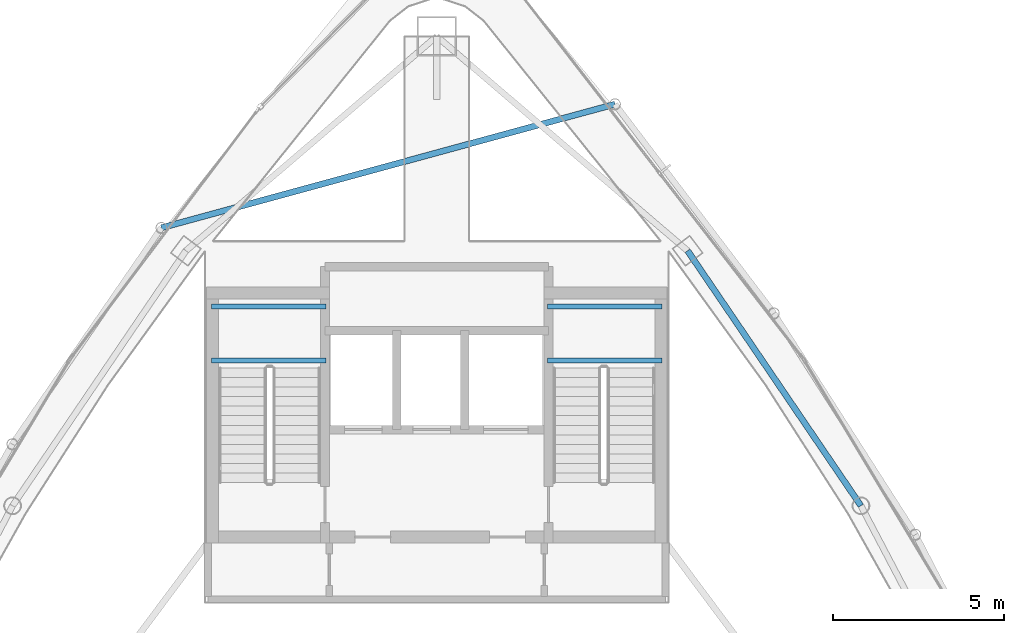
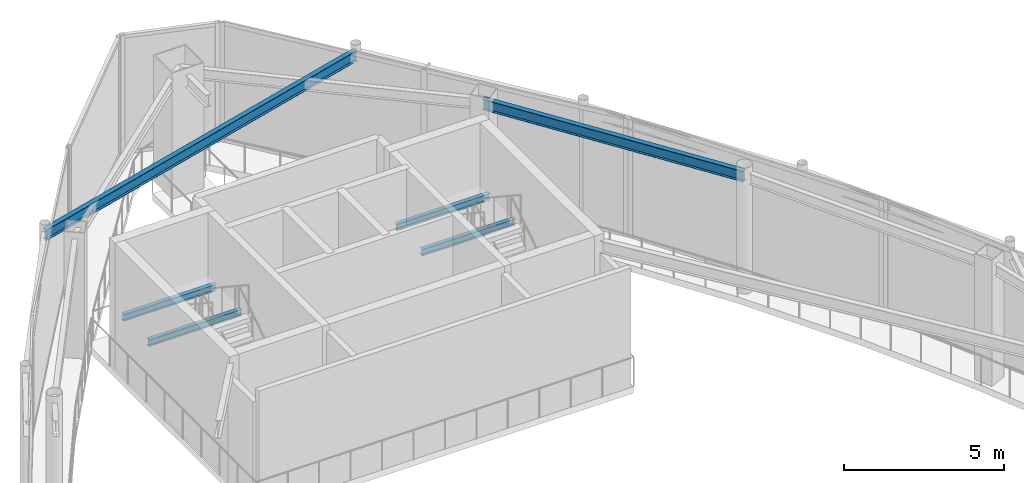
# One storey, part 9 of 19: 6 beams.
"""IFC4 building model written with IfcOpenShell, lengths in metres."""

from ifc_helpers import new_model, si_unit, direction, frame, origin, origin_2d, place, context, subcontext, project, spatial, i_section, extrude, material, material_profile, profile_set, type_object, element, save


model = new_model("IFC4")

# Units and contexts
model_context = context("Model", 3, precision=1e-05, world=origin(), true_north=direction((0.0, 1.0)))
body_context = subcontext(model_context, "Body", "Model", "MODEL_VIEW")
ifc_project = project(units=[si_unit("LENGTHUNIT", "METRE"), si_unit("AREAUNIT", "SQUARE_METRE"), si_unit("VOLUMEUNIT", "CUBIC_METRE"), si_unit("PLANEANGLEUNIT", "RADIAN"), si_unit("MASSUNIT", "GRAM", prefix="KILO")], contexts=[model_context])

# Site, building, storey
site_placement = place(None, origin())
site = spatial("IfcSite", under=ifc_project, at=site_placement, CompositionType="ELEMENT")
building_placement = place(site_placement, origin())
building = spatial("IfcBuilding", under=site, at=building_placement, Name="Orvanel Arch Residences", CompositionType="ELEMENT")
storey_placement = place(building_placement, frame((0.0, 0.0, 286.10009765625)))
storey = spatial("IfcBuildingStorey", under=building, at=storey_placement, Name="L81", CompositionType="ELEMENT", Elevation=286.10009765625)

# Beams
ifc_material = material(Name="Structural steel AS/NZS 3679.1 Grade 300 (300 MPa)", Category="steel")
ifc_material_profile_1 = material_profile(ifc_material, i_section(OverallWidth=0.14599609375, OverallDepth=0.251953125, WebThickness=0.006103515625, FlangeThickness=0.008544921875, at=origin_2d()), Name="250UB31.4")
ifc_profile_set_1 = profile_set([ifc_material_profile_1], Name="Structural steel AS/NZS 3679.1 Grade 300 (300 MPa)")
beam_type_1 = type_object("IfcBeamType", Name="BJ-250UB", PredefinedType="JOIST", material=ifc_profile_set_1)
for number, where, z_axis, x_axis, name in (
    (1, (26.39990234375, 31.89990234375, 2.073974609375), (1.0, 0.0, 0.0), (0.0, 1.0, 0.0), "L81 ST-1 Half-Landing Support Beam 1.1"),
    (2, (26.39990234375, 33.47998046875, 2.073974609375), (1.0, 0.0, 0.0), (0.0, 1.0, 0.0), "L81 ST-1 Half-Landing Support Beam 1.2"),
    (3, (36.25, 31.89990234375, 2.073974609375), (1.0, 0.0, 0.0), (0.0, 1.0, 0.0), "L81 ST-2 Half-Landing Support Beam 1.1"),
    (4, (36.25, 33.47998046875, 2.073974609375), (1.0, 0.0, 0.0), (0.0, 1.0, 0.0), "L81 ST-2 Half-Landing Support Beam 1.2"),
):
    element("IfcBeam", number, at=place(storey_placement, frame(where, z_axis=z_axis, x_axis=x_axis)), inside=storey, type_object=beam_type_1, Name=name, PredefinedType="JOIST", context=body_context, shape_type="SweptSolid", body=[
        extrude(i_section(OverallWidth=0.14599609375, OverallDepth=0.251953125, WebThickness=0.006103515625, FlangeThickness=0.008544921875, at=origin_2d()), origin(), (0.0, 0.0, 1.0), 3.35009765625),
    ])
ifc_material_profile_2 = material_profile(ifc_material, i_section(OverallWidth=0.177978515625, OverallDepth=0.406005859375, WebThickness=0.0078125, FlangeThickness=0.0126953125, at=origin_2d()), Name="410UB59.7")
ifc_profile_set_2 = profile_set([ifc_material_profile_2], Name="Structural steel AS/NZS 3679.1 Grade 300 (300 MPa)")
beam_type_2 = type_object("IfcBeamType", Name="OB-410UB", PredefinedType="SPANDREL", material=ifc_profile_set_2)
beam_1_placement = place(storey_placement, frame((45.430908203125, 27.64111328125, 4.346923828125), z_axis=(-0.562154793153, 0.827032035978, 0.0), x_axis=(-0.827032035978, -0.562154793153, 0.0)))
element("IfcBeam", 5, at=beam_1_placement, inside=storey, type_object=beam_type_2, Name="L81 Perimeter Spandrel Beam 08", PredefinedType="SPANDREL", context=body_context, shape_type="SweptSolid", body=[
    extrude(i_section(OverallWidth=0.177978515625, OverallDepth=0.406005859375, WebThickness=0.0078125, FlangeThickness=0.0126953125, at=origin_2d()), origin(), (0.0, 0.0, 1.0), 9.03466796875),
])
ifc_material_profile_3 = material_profile(ifc_material, i_section(OverallWidth=0.177978515625, OverallDepth=0.406005859375, WebThickness=0.0078125, FlangeThickness=0.0126953125, at=origin_2d()), Name="410UB59.7")
ifc_profile_set_3 = profile_set([ifc_material_profile_3], Name="Structural steel AS/NZS 3679.1 Grade 300 (300 MPa)")
beam_type_3 = type_object("IfcBeamType", Name="OB-410UB-EXT", PredefinedType="SPANDREL", material=ifc_profile_set_3)
beam_2_placement = place(storey_placement, frame((38.22412109375, 39.409912109375, 4.346923828125), z_axis=(-0.964794480335, -0.263004963291, 0.0), x_axis=(0.263004963291, -0.964794480335, 0.0)))
element("IfcBeam", 6, at=beam_2_placement, inside=storey, type_object=beam_type_3, Name="L81 Outer Perimeter Floor Ring Beam 12", PredefinedType="SPANDREL", context=body_context, shape_type="SweptSolid", body=[
    extrude(i_section(OverallWidth=0.177978515625, OverallDepth=0.406005859375, WebThickness=0.0078125, FlangeThickness=0.0126953125, at=origin_2d()), origin(), (0.0, 0.0, 1.0), 13.779296875),
])

save(model, "model.ifc")
